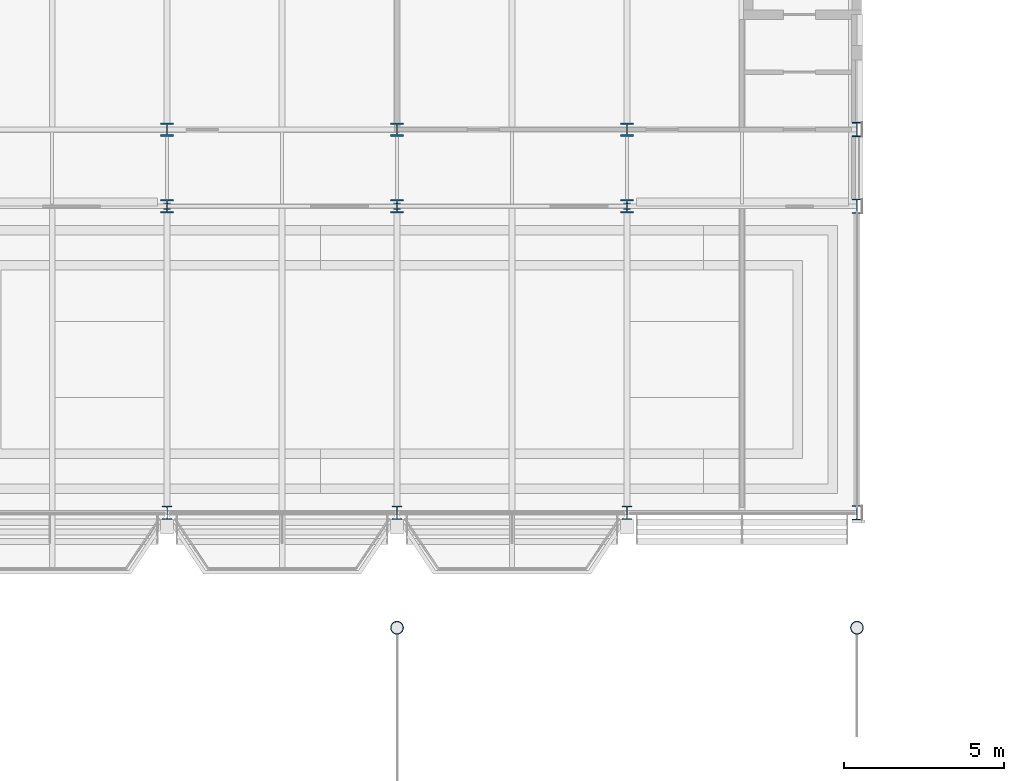
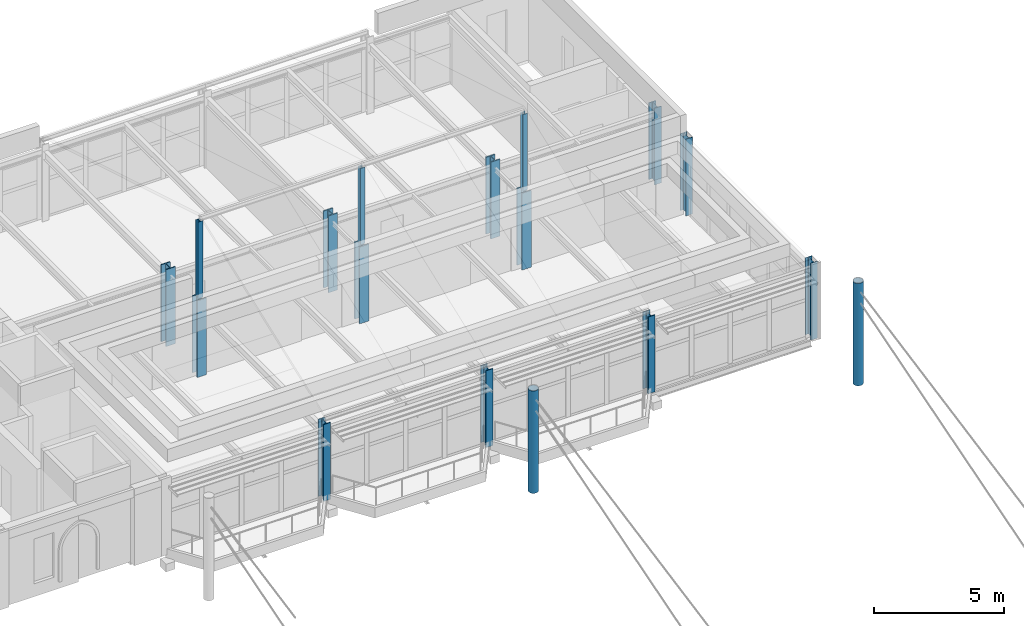
# One storey, part 8 of 68: 17 columns.
"""IFC4 building model written with IfcOpenShell, lengths in metres."""

import ifcopenshell
import ifcopenshell.guid

model = None  # the IFC model being written
_history = None  # IfcOwnerHistory: only IFC2X3 demands one
_inside = {}  # id of a spatial element -> (the spatial element, [elements in it])
_under = {}  # id of a project, library or spatial element -> (it, [spatial elements below it])
_declared = {}  # id of a project -> (the project, [libraries it declares])
_typed = {}  # id of a type object -> (the type object, [elements of that type])
_made_of = {}  # id of a material, layer set ... -> (it, [elements and type objects made of it])


def new_model(schema):
    """Start an empty IFC model of exactly this schema.

    Asked for "IFC4X3", IfcOpenShell would pick the latest addendum, in which some entities
    have other attributes; the version numbers below select the first issue.
    IFC2X3 requires an IfcOwnerHistory on every rooted entity: one is made here for all.
    """
    global model, _history
    if schema == "IFC4X3":
        model = ifcopenshell.file(schema_version=(4, 3, 0, 0))
    else:
        model = ifcopenshell.file(schema=schema)
    _inside.clear()
    _under.clear()
    _declared.clear()
    _typed.clear()
    _made_of.clear()
    _history = None
    if model.schema == "IFC2X3":
        org = make("IfcOrganization", Name="unknown")
        user = make(
            "IfcPersonAndOrganization",
            ThePerson=make("IfcPerson", FamilyName="unknown"),
            TheOrganization=org,
        )
        app = make(
            "IfcApplication",
            ApplicationDeveloper=org,
            Version="unknown",
            ApplicationFullName="unknown",
            ApplicationIdentifier="unknown",
        )
        _history = make(
            "IfcOwnerHistory",
            OwningUser=user,
            OwningApplication=app,
            ChangeAction="ADDED",
            CreationDate=0,
        )
    return model


def make(cls, **values):
    """One entity of the class cls with the attributes given. An attribute that is None is left unset."""
    return model.create_entity(
        cls, **{name: value for name, value in values.items() if value is not None}
    )


def rooted(cls, **values):
    """An entity with a GlobalId (a new one), such as an element, a storey or a relation."""
    return make(cls, GlobalId=ifcopenshell.guid.new(), OwnerHistory=_history, **values)


def si_unit(unit_type, name, prefix=None):
    """IfcSIUnit, for example si_unit("LENGTHUNIT", "METRE", prefix="MILLI")."""
    return make("IfcSIUnit", UnitType=unit_type, Prefix=prefix, Name=name)


def assignment(units):
    """IfcUnitAssignment: the units of a project."""
    return None if units is None else make("IfcUnitAssignment", Units=units)


def point(xyz):
    """IfcCartesianPoint."""
    return None if xyz is None else make("IfcCartesianPoint", Coordinates=xyz)


def direction(xyz):
    """IfcDirection."""
    return None if xyz is None else make("IfcDirection", DirectionRatios=xyz)


def frame(location, z_axis=None, x_axis=None):
    """IfcAxis2Placement3D, a coordinate frame: its origin and axes. An axis left out is left unset."""
    return make(
        "IfcAxis2Placement3D",
        Location=point(location),
        Axis=direction(z_axis),
        RefDirection=direction(x_axis),
    )


def frame_2d(location, x_axis=None):
    """IfcAxis2Placement2D, a coordinate frame in the plane: its origin and x axis."""
    return make(
        "IfcAxis2Placement2D", Location=point(location), RefDirection=direction(x_axis)
    )


def origin():
    """The frame at (0, 0, 0) with its axes left unset."""
    return frame((0.0, 0.0, 0.0))


def origin_2d():
    """The frame at (0, 0) in the plane with its x axis left unset."""
    return frame_2d((0.0, 0.0))


def place(relative_to, where):
    """IfcLocalPlacement: puts the frame where relative to a parent placement (None: the world)."""
    return make(
        "IfcLocalPlacement", PlacementRelTo=relative_to, RelativePlacement=where
    )


def context(
    kind, dimensions, precision=None, world=None, true_north=None, identifier=None
):
    """IfcGeometricRepresentationContext, for example the 3D "Model" context."""
    return make(
        "IfcGeometricRepresentationContext",
        ContextIdentifier=identifier,
        ContextType=kind,
        CoordinateSpaceDimension=dimensions,
        Precision=precision,
        WorldCoordinateSystem=world,
        TrueNorth=true_north,
    )


def subcontext(parent, identifier, kind, view, scale=None):
    """IfcGeometricRepresentationSubContext, for example "Body" below "Model"."""
    return make(
        "IfcGeometricRepresentationSubContext",
        ContextIdentifier=identifier,
        ContextType=kind,
        ParentContext=parent,
        TargetScale=scale,
        TargetView=view,
    )


def project(units=None, contexts=None):
    """IfcProject with its units and contexts."""
    return rooted(
        "IfcProject",
        Name="project",
        RepresentationContexts=contexts,
        UnitsInContext=assignment(units),
    )


def spatial(cls, under=None, at=None, **own):
    """A site, building, storey or space (cls), placed at a placement, below another one or the project."""
    s = rooted(cls, ObjectPlacement=at, **own)
    if under is not None:
        _under.setdefault(under.id(), (under, []))[1].append(s)
    return s


def profile(cls, at=None, kind="AREA", **sizes):
    """A parametric profile (cls). Its sizes go by their IFC names, for example OverallWidth=200.0."""
    return make(cls, ProfileType=kind, Position=at, **sizes)


def hollow_circle(**sizes):
    """IfcCircleHollowProfileDef."""
    return profile("IfcCircleHollowProfileDef", **sizes)


def i_section(**sizes):
    """IfcIShapeProfileDef."""
    return profile("IfcIShapeProfileDef", **sizes)


def extrude(swept, where, along, depth):
    """IfcExtrudedAreaSolid: the profile swept, set in the frame where, extruded along a direction by depth."""
    return make(
        "IfcExtrudedAreaSolid",
        SweptArea=swept,
        Position=where,
        ExtrudedDirection=direction(along),
        Depth=depth,
    )


def shape(context_of_items, identifier, shape_type, items):
    """IfcShapeRepresentation: the items that make up one representation, for example the "Body"."""
    return make(
        "IfcShapeRepresentation",
        ContextOfItems=context_of_items,
        RepresentationIdentifier=identifier,
        RepresentationType=shape_type,
        Items=items,
    )


def material(Name=None, Category=None):
    """IfcMaterial."""
    return make("IfcMaterial", Name=Name, Category=Category)


def material_profile(
    of_material, cross_section, Name=None, Category=None, Priority=None
):
    """IfcMaterialProfile: a cross section and its material."""
    return make(
        "IfcMaterialProfile",
        Name=Name,
        Material=of_material,
        Profile=cross_section,
        Priority=Priority,
        Category=Category,
    )


def profile_set(profiles, Name=None, composite=None):
    """IfcMaterialProfileSet."""
    return make(
        "IfcMaterialProfileSet",
        Name=Name,
        MaterialProfiles=profiles,
        CompositeProfile=composite,
    )


def made_of(thing, what):
    """Note that an element or type object is made of a material, layer set ...; save() writes the relation."""
    if what is not None:
        _made_of.setdefault(what.id(), (what, []))[1].append(thing)
    return thing


def type_object(cls, material=None, **own):
    """A type object (cls), such as IfcWallType, which elements share."""
    return made_of(rooted(cls, **own), material)


def element(
    cls,
    number,
    at=None,
    inside=None,
    cuts=None,
    type_object=None,
    material=None,
    context=None,
    identifier="Body",
    shape_type=None,
    held_by="IfcProductDefinitionShape",
    body=None,
    shapes=None,
    **own,
):
    """One element of the class cls, such as IfcWall. Its Tag is "e" and its number.

    at: its placement. inside: the storey or other place that contains it. cuts: it is an
    opening in that element (IfcRelVoidsElement). A single representation is given by context,
    identifier, shape_type and body (its items); several are given by shapes. held_by: the class
    of the entity that holds the representations. save() writes the other relations.
    """
    e = rooted(cls, Tag="e%d" % number, ObjectPlacement=at, **own)
    if body is not None:
        shapes = [shape(context, identifier, shape_type, body)]
    if shapes is not None:
        e.Representation = make(held_by, Representations=shapes)
    if inside is not None:
        _inside.setdefault(inside.id(), (inside, []))[1].append(e)
    if cuts is not None:
        rooted(
            "IfcRelVoidsElement", RelatingBuildingElement=cuts, RelatedOpeningElement=e
        )
    if type_object is not None:
        _typed.setdefault(type_object.id(), (type_object, []))[1].append(e)
    return made_of(e, material)


def aggregate(whole, parts):
    """IfcRelAggregates: a whole, such as a stair, and the parts it consists of."""
    return rooted("IfcRelAggregates", RelatingObject=whole, RelatedObjects=parts)


def save(model, path):
    """Write the relations noted so far, then the file.

    IfcRelAggregates (storeys below a building ...), IfcRelContainedInSpatialStructure (elements
    in a storey), IfcRelDefinesByType, IfcRelAssociatesMaterial and IfcRelDeclares: one each for
    every whole, place, type object, material and project.
    """
    for whole, parts in _under.values():
        aggregate(whole, parts)
    for where, things in _inside.values():
        rooted(
            "IfcRelContainedInSpatialStructure",
            RelatedElements=things,
            RelatingStructure=where,
        )
    for kind, things in _typed.values():
        rooted("IfcRelDefinesByType", RelatedObjects=things, RelatingType=kind)
    for what, things in _made_of.values():
        rooted("IfcRelAssociatesMaterial", RelatedObjects=things, RelatingMaterial=what)
    for by, libraries in _declared.values():
        rooted("IfcRelDeclares", RelatingContext=by, RelatedDefinitions=libraries)
    model.write(path)


model = new_model("IFC4")

# Units and contexts
model_context = context("Model", 3, precision=1e-05, world=origin(), true_north=direction((0.0, 1.0)))
body_context = subcontext(model_context, "Body", "Model", "MODEL_VIEW")
ifc_project = project(units=[si_unit("LENGTHUNIT", "METRE"), si_unit("AREAUNIT", "SQUARE_METRE"), si_unit("VOLUMEUNIT", "CUBIC_METRE"), si_unit("PLANEANGLEUNIT", "RADIAN"), si_unit("MASSUNIT", "GRAM", prefix="KILO")], contexts=[model_context])

# Site, building, storey
site_placement = place(None, origin())
site = spatial("IfcSite", under=ifc_project, at=site_placement, CompositionType="ELEMENT")
building_placement = place(site_placement, origin())
building = spatial("IfcBuilding", under=site, at=building_placement, Name="Kupolbacken Congress Centre", CompositionType="ELEMENT")
storey_placement = place(building_placement, frame((0.0, 0.0, 25.199951171875)))
storey = spatial("IfcBuildingStorey", under=building, at=storey_placement, Name="L07", CompositionType="ELEMENT", Elevation=25.199951171875)

# Columns
ifc_material_1 = material(Name="Steel S355", Category="steel")
ifc_material_profile_1 = material_profile(ifc_material_1, i_section(OverallWidth=0.408935546875, OverallDepth=0.425048828125, WebThickness=0.03271484375, FlangeThickness=0.052490234375, FilletRadius=0.014892578125, at=origin_2d()), Name="HD 400 x 421")
ifc_profile_set_1 = profile_set([ifc_material_profile_1], Name="Steel S355")
column_type_1 = type_object("IfcColumnType", Name="C01 column HD 400 x 421", PredefinedType="COLUMN", material=ifc_profile_set_1)
for number, where, z_axis, x_axis, name in (
    (1, (115.199951171875, 132.0, 0.0), (0.0, 0.0, 1.0), (1.0, 0.0, 0.0), "S/col/C-T-17U+2400/L07"),
    (2, (115.199951171875, 134.39990234375, 0.0), (0.0, 0.0, 1.0), (1.0, 0.0, 0.0), "S/col/C-T-17U+4800/L07"),
    (3, (122.39990234375, 132.0, 0.0), (0.0, 0.0, 1.0), (1.0, 0.0, 0.0), "S/col/C-T-18U+2400/L07"),
    (4, (122.39990234375, 134.39990234375, 0.0), (0.0, 0.0, 1.0), (1.0, 0.0, 0.0), "S/col/C-T-18U+4800/L07"),
    (5, (129.60009765625, 132.0, 0.0), (0.0, 0.0, 1.0), (1.0, 0.0, 0.0), "S/col/C-T-19U+2400/L07"),
    (6, (129.60009765625, 134.39990234375, 0.0), (0.0, 0.0, 1.0), (1.0, 0.0, 0.0), "S/col/C-T-19U+4800/L07"),
):
    element("IfcColumn", number, at=place(storey_placement, frame(where, z_axis=z_axis, x_axis=x_axis)), inside=storey, type_object=column_type_1, Name=name, PredefinedType="COLUMN", context=body_context, shape_type="SweptSolid", body=[
        extrude(i_section(OverallWidth=0.408935546875, OverallDepth=0.425048828125, WebThickness=0.03271484375, FlangeThickness=0.052490234375, FilletRadius=0.014892578125, at=origin_2d()), origin(), (0.0, 0.0, 1.0), 3.60009765625),
    ])
ifc_material_2 = material(Name="Steel S355", Category="steel")
ifc_material_profile_2 = material_profile(ifc_material_2, i_section(OverallWidth=0.306884765625, OverallDepth=0.431884765625, WebThickness=0.02099609375, FlangeThickness=0.0400390625, FilletRadius=0.027099609375, at=origin_2d()), Name="HEM 400")
ifc_profile_set_2 = profile_set([ifc_material_profile_2], Name="Steel S355")
column_type_2 = type_object("IfcColumnType", Name="C02 column HEM 400", PredefinedType="COLUMN", material=ifc_profile_set_2)
for number, where, z_axis, x_axis, name in (
    (7, (115.199951171875, 122.39990234375, 0.0), (0.0, 0.0, 1.0), (1.0, 0.0, 0.0), "S/col/C-T-17T/L07"),
    (8, (122.39990234375, 122.39990234375, 0.0), (0.0, 0.0, 1.0), (1.0, 0.0, 0.0), "S/col/C-T-18T/L07"),
    (9, (129.60009765625, 122.39990234375, 0.0), (0.0, 0.0, 1.0), (1.0, 0.0, 0.0), "S/col/C-T-19T/L07"),
):
    element("IfcColumn", number, at=place(storey_placement, frame(where, z_axis=z_axis, x_axis=x_axis)), inside=storey, type_object=column_type_2, Name=name, PredefinedType="COLUMN", context=body_context, shape_type="SweptSolid", body=[
        extrude(i_section(OverallWidth=0.306884765625, OverallDepth=0.431884765625, WebThickness=0.02099609375, FlangeThickness=0.0400390625, FilletRadius=0.027099609375, at=origin_2d()), origin(), (0.0, 0.0, 1.0), 3.60009765625),
    ])
ifc_material_3 = material(Name="Steel S355", Category="steel")
ifc_material_profile_3 = material_profile(ifc_material_3, i_section(OverallWidth=0.300048828125, OverallDepth=0.449951171875, WebThickness=0.013916015625, FlangeThickness=0.02587890625, FilletRadius=0.027099609375, at=origin_2d()), Name="HEB 450")
ifc_profile_set_3 = profile_set([ifc_material_profile_3], Name="Steel S355")
column_type_3 = type_object("IfcColumnType", Name="C03 column HEB 450", PredefinedType="COLUMN", material=ifc_profile_set_3)
for number, where, z_axis, x_axis, name in (
    (10, (136.800048828125, 122.39990234375, 0.0), (0.0, 0.0, 1.0), (1.0, 0.0, 0.0), "S/col/C-T-20T/L07"),
    (11, (136.800048828125, 132.0, 0.0), (0.0, 0.0, 1.0), (1.0, 0.0, 0.0), "S/col/C-T-20U+2400/L07"),
    (12, (136.800048828125, 134.39990234375, 0.0), (0.0, 0.0, 1.0), (1.0, 0.0, 0.0), "S/col/C-T-20U+4800/L07"),
):
    element("IfcColumn", number, at=place(storey_placement, frame(where, z_axis=z_axis, x_axis=x_axis)), inside=storey, type_object=column_type_3, Name=name, PredefinedType="COLUMN", context=body_context, shape_type="SweptSolid", body=[
        extrude(i_section(OverallWidth=0.300048828125, OverallDepth=0.449951171875, WebThickness=0.013916015625, FlangeThickness=0.02587890625, FilletRadius=0.027099609375, at=origin_2d()), origin(), (0.0, 0.0, 1.0), 3.60009765625),
    ])
ifc_material_4 = material(Name="Steel S355", Category="steel")
ifc_material_profile_4 = material_profile(ifc_material_4, i_section(OverallWidth=0.199951171875, OverallDepth=0.199951171875, WebThickness=0.009033203125, FlangeThickness=0.014892578125, FilletRadius=0.01806640625, at=origin_2d()), Name="HEB 200")
ifc_profile_set_4 = profile_set([ifc_material_profile_4], Name="Steel S355")
column_type_4 = type_object("IfcColumnType", Name="C11 column HEB 200", PredefinedType="COLUMN", material=ifc_profile_set_4)
for number, where, z_axis, x_axis, name in (
    (13, (115.199951171875, 132.0, 3.60009765625), (0.0, 0.0, 1.0), (1.0, 0.0, 0.0), "E/T/roof/R2/post0/L07"),
    (14, (122.39990234375, 132.0, 3.60009765625), (0.0, 0.0, 1.0), (1.0, 0.0, 0.0), "E/T/roof/R2/post1/L07"),
    (15, (129.60009765625, 132.0, 3.60009765625), (0.0, 0.0, 1.0), (1.0, 0.0, 0.0), "E/T/roof/R2/post2/L07"),
):
    element("IfcColumn", number, at=place(storey_placement, frame(where, z_axis=z_axis, x_axis=x_axis)), inside=storey, type_object=column_type_4, Name=name, PredefinedType="COLUMN", context=body_context, shape_type="SweptSolid", body=[
        extrude(i_section(OverallWidth=0.199951171875, OverallDepth=0.199951171875, WebThickness=0.009033203125, FlangeThickness=0.014892578125, FilletRadius=0.01806640625, at=origin_2d()), origin(), (0.0, 0.0, 1.0), 3.5830078125),
    ])
ifc_material_5 = material(Name="Steel S355", Category="steel")
ifc_material_profile_5 = material_profile(ifc_material_5, hollow_circle(Radius=0.203125, WallThickness=0.01611328125, at=origin_2d()), Name="CHS 406.4 x 16")
ifc_profile_set_5 = profile_set([ifc_material_profile_5], Name="Steel S355")
column_type_5 = type_object("IfcColumnType", Name="C15 roof mast CHS 406.4 x 16", PredefinedType="COLUMN", material=ifc_profile_set_5)
for number, where, z_axis, x_axis, name in (
    (16, (122.39990234375, 118.800048828125, 0.0), (0.0, 0.0, 1.0), (1.0, 0.0, 0.0), "Roof mast M3N"),
    (17, (136.800048828125, 118.800048828125, 0.0), (0.0, 0.0, 1.0), (1.0, 0.0, 0.0), "Roof mast M4N"),
):
    element("IfcColumn", number, at=place(storey_placement, frame(where, z_axis=z_axis, x_axis=x_axis)), inside=storey, type_object=column_type_5, Name=name, PredefinedType="COLUMN", context=body_context, shape_type="SweptSolid", body=[
        extrude(hollow_circle(Radius=0.203125, WallThickness=0.01611328125, at=origin_2d()), origin(), (0.0, 0.0, 1.0), 4.800048828125),
    ])

save(model, "model.ifc")
